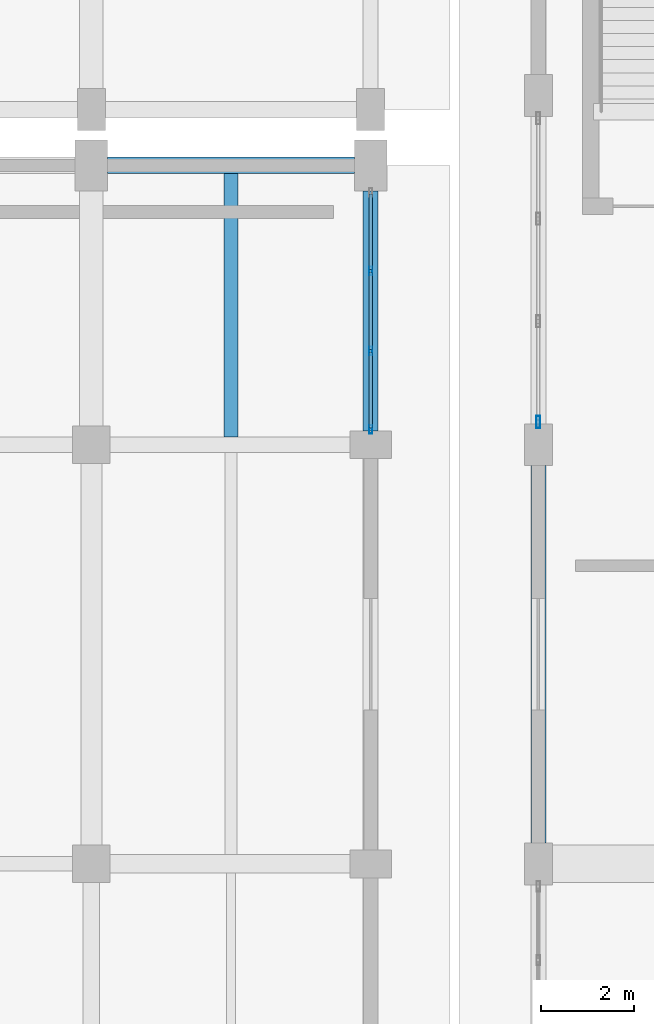
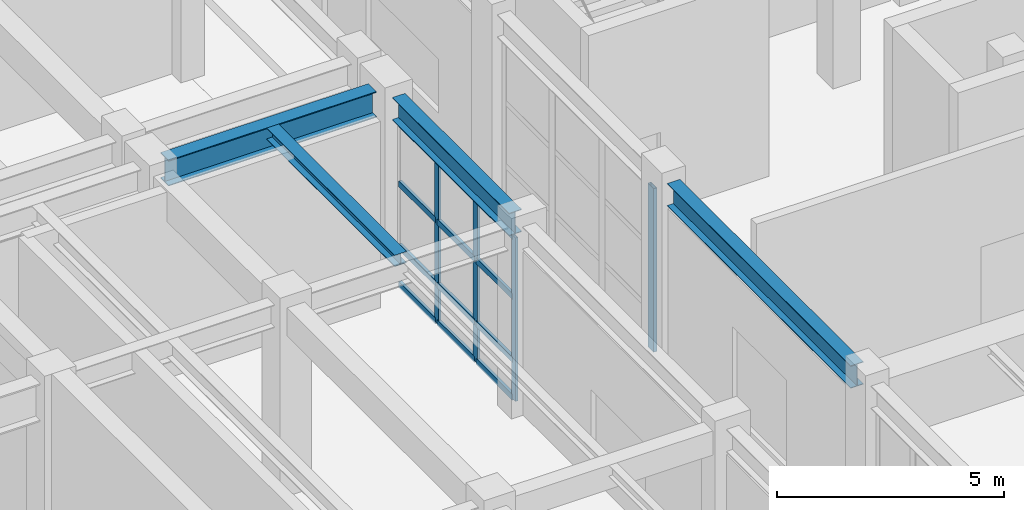
# One storey, part 44 of 91: 16 members, 4 beams, 2 elements without a shape of their own.
"""IFC4 building model written with IfcOpenShell, lengths in metres."""

from ifc_helpers import new_model, si_unit, direction, frame, origin, origin_2d, place, context, subcontext, project, spatial, hollow_rectangle, i_section, extrude, material, layer, layer_set, material_profile, profile_set, type_object, element, aggregate, save


model = new_model("IFC4")

# Units and contexts
model_context = context("Model", 3, precision=1e-05, world=origin(), true_north=direction((0.0, 1.0)))
body_context = subcontext(model_context, "Body", "Model", "MODEL_VIEW")
ifc_project = project(units=[si_unit("LENGTHUNIT", "METRE"), si_unit("AREAUNIT", "SQUARE_METRE"), si_unit("VOLUMEUNIT", "CUBIC_METRE"), si_unit("PLANEANGLEUNIT", "RADIAN"), si_unit("MASSUNIT", "GRAM", prefix="KILO")], contexts=[model_context])

# Site, building, storey
site_placement = place(None, origin())
site = spatial("IfcSite", under=ifc_project, at=site_placement, CompositionType="ELEMENT")
building_placement = place(site_placement, origin())
building = spatial("IfcBuilding", under=site, at=building_placement, Name="Vaelkrest Opera House", CompositionType="ELEMENT")
storey_placement = place(building_placement, origin())
storey = spatial("IfcBuildingStorey", under=building, at=storey_placement, Name="L00", CompositionType="ELEMENT", Elevation=0.0)

# Curtain wall, members
ifc_material_1 = material(Name="Dark bronze anodized aluminium", Category="aluminium")
ifc_layer_1 = layer(ifc_material_1, 0.219970703125)
ifc_layer_set_1 = layer_set([ifc_layer_1], Name="Dark bronze anodized aluminium")
curtain_wall_type_1 = type_object("IfcCurtainWallType", Name="CW05", PredefinedType="NOTDEFINED", material=ifc_layer_set_1)
curtain_wall_1_placement = place(storey_placement, origin())
curtain_wall_1 = element("IfcCurtainWall", 1, at=curtain_wall_1_placement, inside=storey, type_object=curtain_wall_type_1, Name="Curtain wall CW-L00-017", PredefinedType="NOTDEFINED")
ifc_material_profile_1 = material_profile(ifc_material_1, hollow_rectangle(XDim=0.06494140625, YDim=0.179931640625, WallThickness=0.00390625, at=origin_2d()), Name="CWM65X180")
ifc_profile_set_1 = profile_set([ifc_material_profile_1], Name="Dark bronze anodized aluminium")
member_type_1 = type_object("IfcMemberType", Name="CWM01", PredefinedType="MULLION", material=ifc_profile_set_1)
member_1_placement = place(storey_placement, frame((30.0, 13.93408203125, 0.0), z_axis=(0.0, 0.0, 1.0), x_axis=(1.0, 0.0, 0.0)))
member_1 = element("IfcMember", 2, at=member_1_placement, type_object=member_type_1, Name="CW05 mullion 2", PredefinedType="MULLION", context=body_context, shape_type="SweptSolid", body=[
    extrude(hollow_rectangle(XDim=0.06494140625, YDim=0.179931640625, WallThickness=0.00390625, at=origin_2d()), origin(), (0.0, 0.0, 1.0), 4.404052734375),
])
member_2_placement = place(storey_placement, frame((30.0, 12.216064453125, 0.0), z_axis=(0.0, 0.0, 1.0), x_axis=(1.0, 0.0, 0.0)))
member_2 = element("IfcMember", 3, at=member_2_placement, type_object=member_type_1, Name="CW05 mullion 3", PredefinedType="MULLION", context=body_context, shape_type="SweptSolid", body=[
    extrude(hollow_rectangle(XDim=0.06494140625, YDim=0.179931640625, WallThickness=0.00390625, at=origin_2d()), origin(), (0.0, 0.0, 1.0), 4.404052734375),
])
member_3_placement = place(storey_placement, frame((30.0, 10.530517578125, 0.0), z_axis=(0.0, 0.0, 1.0), x_axis=(1.0, 0.0, 0.0)))
member_3 = element("IfcMember", 4, at=member_3_placement, type_object=member_type_1, Name="CW05 mullion 4", PredefinedType="MULLION", context=body_context, shape_type="SweptSolid", body=[
    extrude(hollow_rectangle(XDim=0.06494140625, YDim=0.179931640625, WallThickness=0.00390625, at=origin_2d()), origin(), (0.0, 0.0, 1.0), 4.404052734375),
])

# Curtain wall, member
ifc_layer_2 = layer(ifc_material_1, 0.25)
ifc_layer_set_2 = layer_set([ifc_layer_2], Name="Dark bronze anodized aluminium")
curtain_wall_type_2 = type_object("IfcCurtainWallType", Name="CW08", PredefinedType="NOTDEFINED", material=ifc_layer_set_2)
curtain_wall_2_placement = place(storey_placement, origin())
curtain_wall_2 = element("IfcCurtainWall", 5, at=curtain_wall_2_placement, inside=storey, type_object=curtain_wall_type_2, Name="Curtain wall CW-L00-150", PredefinedType="NOTDEFINED")
ifc_material_profile_2 = material_profile(ifc_material_1, hollow_rectangle(XDim=0.080078125, YDim=0.260009765625, WallThickness=0.0048828125, at=origin_2d()), Name="CWM80X260")
ifc_profile_set_2 = profile_set([ifc_material_profile_2], Name="Dark bronze anodized aluminium")
member_type_2 = type_object("IfcMemberType", Name="CWM04", PredefinedType="MULLION", material=ifc_profile_set_2)
member_4_placement = place(storey_placement, frame((33.60009765625, 10.68798828125, 0.0), z_axis=(0.0, 0.0, 1.0), x_axis=(-1.0, 0.0, 0.0)))
member_4 = element("IfcMember", 6, at=member_4_placement, type_object=member_type_2, Name="CW08 mullion 1", PredefinedType="MULLION", context=body_context, shape_type="SweptSolid", body=[
    extrude(hollow_rectangle(XDim=0.080078125, YDim=0.260009765625, WallThickness=0.0048828125, at=origin_2d()), origin(), (0.0, 0.0, 1.0), 4.404052734375),
])
aggregate(curtain_wall_2, [member_4])

# Member
ifc_material_profile_3 = material_profile(ifc_material_1, hollow_rectangle(XDim=0.074951171875, YDim=0.159912109375, WallThickness=0.00439453125, at=origin_2d()), Name="CWT75X160")
ifc_profile_set_3 = profile_set([ifc_material_profile_3], Name="Dark bronze anodized aluminium")
member_type_3 = type_object("IfcMemberType", Name="CWT03", PredefinedType="USERDEFINED", material=ifc_profile_set_3)
member_5_placement = place(storey_placement, frame((30.0, 15.5869140625, 0.03759765625), z_axis=(0.0, -1.0, 0.0), x_axis=(1.0, 0.0, 0.0)))
member_5 = element("IfcMember", 7, at=member_5_placement, type_object=member_type_3, Name="CW05 transom 1.1", ObjectType="TRANSOM", PredefinedType="USERDEFINED", context=body_context, shape_type="SweptSolid", body=[
    extrude(hollow_rectangle(XDim=0.074951171875, YDim=0.159912109375, WallThickness=0.00439453125, at=origin_2d()), origin(), (0.0, 0.0, 1.0), 1.620361328125),
])

member_6_placement = place(storey_placement, frame((30.0, 15.5869140625, 1.050048828125), z_axis=(0.0, -1.0, 0.0), x_axis=(1.0, 0.0, 0.0)))
member_6 = element("IfcMember", 8, at=member_6_placement, type_object=member_type_3, Name="CW05 transom 1.2", ObjectType="TRANSOM", PredefinedType="USERDEFINED", context=body_context, shape_type="SweptSolid", body=[
    extrude(hollow_rectangle(XDim=0.074951171875, YDim=0.159912109375, WallThickness=0.00439453125, at=origin_2d()), origin(), (0.0, 0.0, 1.0), 1.620361328125),
])

member_7_placement = place(storey_placement, frame((30.0, 15.5869140625, 2.75), z_axis=(0.0, -1.0, 0.0), x_axis=(1.0, 0.0, 0.0)))
member_7 = element("IfcMember", 9, at=member_7_placement, type_object=member_type_3, Name="CW05 transom 1.3", ObjectType="TRANSOM", PredefinedType="USERDEFINED", context=body_context, shape_type="SweptSolid", body=[
    extrude(hollow_rectangle(XDim=0.074951171875, YDim=0.159912109375, WallThickness=0.00439453125, at=origin_2d()), origin(), (0.0, 0.0, 1.0), 1.620361328125),
])

member_8_placement = place(storey_placement, frame((30.0, 15.5869140625, 4.366455078125), z_axis=(0.0, -1.0, 0.0), x_axis=(1.0, 0.0, 0.0)))
member_8 = element("IfcMember", 10, at=member_8_placement, type_object=member_type_3, Name="CW05 transom 1.4", ObjectType="TRANSOM", PredefinedType="USERDEFINED", context=body_context, shape_type="SweptSolid", body=[
    extrude(hollow_rectangle(XDim=0.074951171875, YDim=0.159912109375, WallThickness=0.00439453125, at=origin_2d()), origin(), (0.0, 0.0, 1.0), 1.620361328125),
])

member_9_placement = place(storey_placement, frame((30.0, 13.901611328125, 0.03759765625), z_axis=(0.0, -1.0, 0.0), x_axis=(1.0, 0.0, 0.0)))
member_9 = element("IfcMember", 11, at=member_9_placement, type_object=member_type_3, Name="CW05 transom 2.1", ObjectType="TRANSOM", PredefinedType="USERDEFINED", context=body_context, shape_type="SweptSolid", body=[
    extrude(hollow_rectangle(XDim=0.074951171875, YDim=0.159912109375, WallThickness=0.00439453125, at=origin_2d()), origin(), (0.0, 0.0, 1.0), 1.653076171875),
])

member_10_placement = place(storey_placement, frame((30.0, 13.901611328125, 1.050048828125), z_axis=(0.0, -1.0, 0.0), x_axis=(1.0, 0.0, 0.0)))
member_10 = element("IfcMember", 12, at=member_10_placement, type_object=member_type_3, Name="CW05 transom 2.2", ObjectType="TRANSOM", PredefinedType="USERDEFINED", context=body_context, shape_type="SweptSolid", body=[
    extrude(hollow_rectangle(XDim=0.074951171875, YDim=0.159912109375, WallThickness=0.00439453125, at=origin_2d()), origin(), (0.0, 0.0, 1.0), 1.653076171875),
])

member_11_placement = place(storey_placement, frame((30.0, 13.901611328125, 2.75), z_axis=(0.0, -1.0, 0.0), x_axis=(1.0, 0.0, 0.0)))
member_11 = element("IfcMember", 13, at=member_11_placement, type_object=member_type_3, Name="CW05 transom 2.3", ObjectType="TRANSOM", PredefinedType="USERDEFINED", context=body_context, shape_type="SweptSolid", body=[
    extrude(hollow_rectangle(XDim=0.074951171875, YDim=0.159912109375, WallThickness=0.00439453125, at=origin_2d()), origin(), (0.0, 0.0, 1.0), 1.653076171875),
])

member_12_placement = place(storey_placement, frame((30.0, 13.901611328125, 4.366455078125), z_axis=(0.0, -1.0, 0.0), x_axis=(1.0, 0.0, 0.0)))
member_12 = element("IfcMember", 14, at=member_12_placement, type_object=member_type_3, Name="CW05 transom 2.4", ObjectType="TRANSOM", PredefinedType="USERDEFINED", context=body_context, shape_type="SweptSolid", body=[
    extrude(hollow_rectangle(XDim=0.074951171875, YDim=0.159912109375, WallThickness=0.00439453125, at=origin_2d()), origin(), (0.0, 0.0, 1.0), 1.653076171875),
])

member_13_placement = place(storey_placement, frame((30.0, 12.18359375, 0.03759765625), z_axis=(0.0, -1.0, 0.0), x_axis=(1.0, 0.0, 0.0)))
member_13 = element("IfcMember", 15, at=member_13_placement, type_object=member_type_3, Name="CW05 transom 3.1", ObjectType="TRANSOM", PredefinedType="USERDEFINED", context=body_context, shape_type="SweptSolid", body=[
    extrude(hollow_rectangle(XDim=0.074951171875, YDim=0.159912109375, WallThickness=0.00439453125, at=origin_2d()), origin(), (0.0, 0.0, 1.0), 1.62060546875),
])

member_14_placement = place(storey_placement, frame((30.0, 12.18359375, 1.050048828125), z_axis=(0.0, -1.0, 0.0), x_axis=(1.0, 0.0, 0.0)))
member_14 = element("IfcMember", 16, at=member_14_placement, type_object=member_type_3, Name="CW05 transom 3.2", ObjectType="TRANSOM", PredefinedType="USERDEFINED", context=body_context, shape_type="SweptSolid", body=[
    extrude(hollow_rectangle(XDim=0.074951171875, YDim=0.159912109375, WallThickness=0.00439453125, at=origin_2d()), origin(), (0.0, 0.0, 1.0), 1.62060546875),
])

member_15_placement = place(storey_placement, frame((30.0, 12.18359375, 2.75), z_axis=(0.0, -1.0, 0.0), x_axis=(1.0, 0.0, 0.0)))
member_15 = element("IfcMember", 17, at=member_15_placement, type_object=member_type_3, Name="CW05 transom 3.3", ObjectType="TRANSOM", PredefinedType="USERDEFINED", context=body_context, shape_type="SweptSolid", body=[
    extrude(hollow_rectangle(XDim=0.074951171875, YDim=0.159912109375, WallThickness=0.00439453125, at=origin_2d()), origin(), (0.0, 0.0, 1.0), 1.62060546875),
])

member_16_placement = place(storey_placement, frame((30.0, 12.18359375, 4.366455078125), z_axis=(0.0, -1.0, 0.0), x_axis=(1.0, 0.0, 0.0)))
member_16 = element("IfcMember", 18, at=member_16_placement, type_object=member_type_3, Name="CW05 transom 3.4", ObjectType="TRANSOM", PredefinedType="USERDEFINED", context=body_context, shape_type="SweptSolid", body=[
    extrude(hollow_rectangle(XDim=0.074951171875, YDim=0.159912109375, WallThickness=0.00439453125, at=origin_2d()), origin(), (0.0, 0.0, 1.0), 1.62060546875),
])

aggregate(curtain_wall_1, [member_1, member_2, member_3, member_5, member_6, member_7, member_8, member_9, member_10, member_11, member_12, member_13, member_14, member_15, member_16])

# Beams
ifc_material_2 = material(Name="Steel A992 Gr50", Category="steel")
ifc_material_profile_4 = material_profile(ifc_material_2, i_section(OverallWidth=0.304931640625, OverallDepth=0.30810546875, WebThickness=0.010009765625, FlangeThickness=0.015380859375, at=origin_2d()), Name="W12X65")
ifc_profile_set_4 = profile_set([ifc_material_profile_4], Name="Steel A992 Gr50")
beam_type_1 = type_object("IfcBeamType", Name="J04", PredefinedType="JOIST", material=ifc_profile_set_4)
beam_1_placement = place(storey_placement, frame((27.0, 10.364013671875, 4.926025390625), z_axis=(0.0, 1.0, 0.0), x_axis=(-1.0, 0.0, 0.0)))
element("IfcBeam", 19, at=beam_1_placement, inside=storey, type_object=beam_type_1, Name="Floor joist JST-V1-L00-0204", PredefinedType="JOIST", context=body_context, shape_type="SweptSolid", body=[
    extrude(i_section(OverallWidth=0.304931640625, OverallDepth=0.30810546875, WebThickness=0.010009765625, FlangeThickness=0.015380859375, at=origin_2d()), origin(), (0.0, 0.0, 1.0), 5.658447265625),
])
ifc_material_profile_5 = material_profile(ifc_material_2, i_section(OverallWidth=0.323974609375, OverallDepth=0.611083984375, WebThickness=0.0126953125, FlangeThickness=0.01904296875, at=origin_2d()), Name="W24X104")
ifc_profile_set_5 = profile_set([ifc_material_profile_5], Name="Steel A992 Gr50")
beam_type_2 = type_object("IfcBeamType", Name="SP01", PredefinedType="SPANDREL", material=ifc_profile_set_5)
beam_2_placement = place(storey_placement, frame((30.0, 10.5, 4.7744140625), z_axis=(0.0, 1.0, 0.0), x_axis=(-1.0, 0.0, 0.0)))
element("IfcBeam", 20, at=beam_2_placement, inside=storey, type_object=beam_type_2, Name="Beam BM-V1-L00-0188", PredefinedType="SPANDREL", context=body_context, shape_type="SweptSolid", body=[
    extrude(i_section(OverallWidth=0.323974609375, OverallDepth=0.611083984375, WebThickness=0.0126953125, FlangeThickness=0.01904296875, at=origin_2d()), origin(), (0.0, 0.0, 1.0), 5.14990234375),
])
beam_3_placement = place(storey_placement, frame((33.60009765625, 1.64990234375, 4.7744140625), z_axis=(0.0, 1.0, 0.0), x_axis=(-1.0, 0.0, 0.0)))
element("IfcBeam", 21, at=beam_3_placement, inside=storey, type_object=beam_type_2, Name="Beam BM-V4-L00-1997", PredefinedType="SPANDREL", context=body_context, shape_type="SweptSolid", body=[
    extrude(i_section(OverallWidth=0.323974609375, OverallDepth=0.611083984375, WebThickness=0.0126953125, FlangeThickness=0.01904296875, at=origin_2d()), origin(), (0.0, 0.0, 1.0), 8.10009765625),
])
ifc_material_profile_6 = material_profile(ifc_material_2, i_section(OverallWidth=0.35498046875, OverallDepth=0.695068359375, WebThickness=0.015380859375, FlangeThickness=0.02490234375, at=origin_2d()), Name="W27X146")
ifc_profile_set_6 = profile_set([ifc_material_profile_6], Name="Steel A992 Gr50")
beam_type_3 = type_object("IfcBeamType", Name="SP02", PredefinedType="SPANDREL", material=ifc_profile_set_6)
beam_4_placement = place(storey_placement, frame((24.35009765625, 16.199951171875, 4.732421875), z_axis=(1.0, 0.0, 0.0), x_axis=(0.0, 1.0, 0.0)))
element("IfcBeam", 22, at=beam_4_placement, inside=storey, type_object=beam_type_3, Name="Beam BM-V1-L00-0140", PredefinedType="SPANDREL", context=body_context, shape_type="SweptSolid", body=[
    extrude(i_section(OverallWidth=0.35498046875, OverallDepth=0.695068359375, WebThickness=0.015380859375, FlangeThickness=0.02490234375, at=origin_2d()), origin(), (0.0, 0.0, 1.0), 5.2998046875),
])

save(model, "model.ifc")
